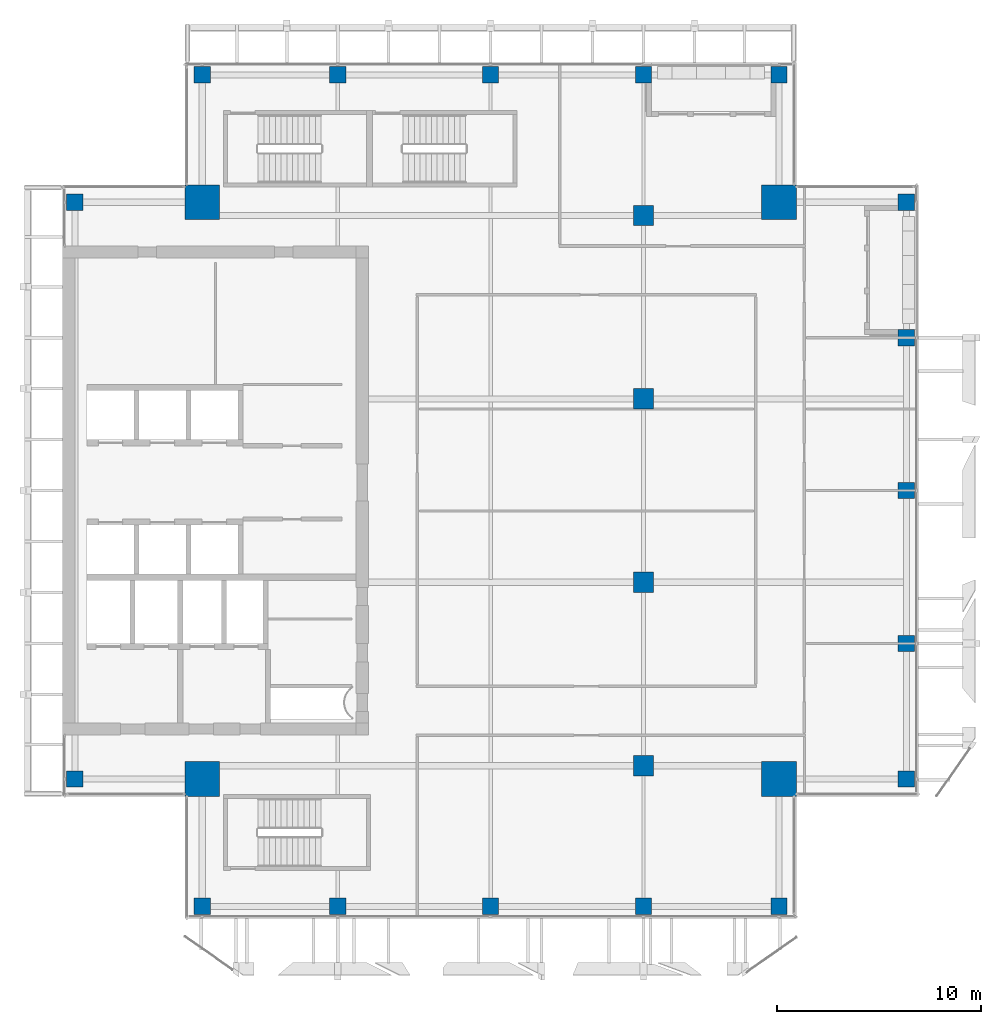
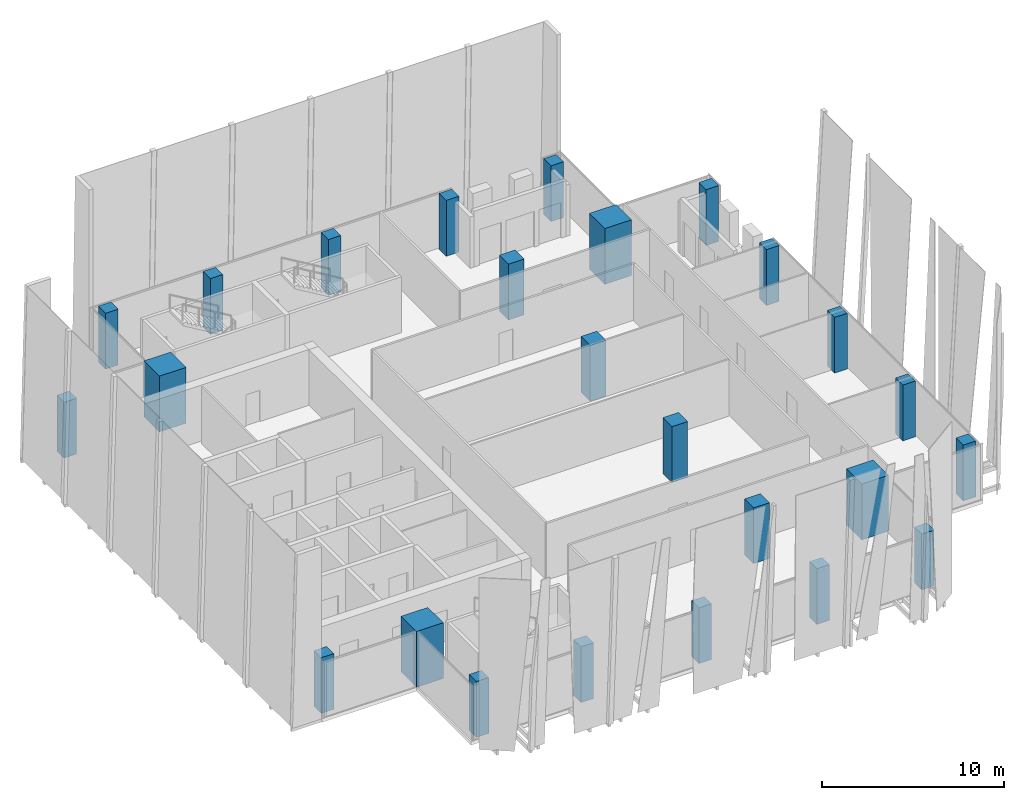
# One storey, part 1 of 32: 25 columns.
"""IFC4 building model written with IfcOpenShell, lengths in metres."""

from ifc_helpers import new_model, si_unit, direction, frame, origin, origin_2d, place, context, subcontext, project, spatial, rectangle, extrude, source, transform, mapped, material, material_profile, profile_set, type_object, element, save


model = new_model("IFC4")

# Units and contexts
model_context = context("Model", 3, precision=1e-05, world=origin(), true_north=direction((0.0, 1.0)))
body_context = subcontext(model_context, "Body", "Model", "MODEL_VIEW")
ifc_project = project(units=[si_unit("LENGTHUNIT", "METRE"), si_unit("AREAUNIT", "SQUARE_METRE"), si_unit("VOLUMEUNIT", "CUBIC_METRE"), si_unit("PLANEANGLEUNIT", "RADIAN"), si_unit("MASSUNIT", "GRAM", prefix="KILO")], contexts=[model_context])

# Site, building, storey
site_placement = place(None, origin())
site = spatial("IfcSite", under=ifc_project, at=site_placement, CompositionType="ELEMENT")
building_placement = place(site_placement, origin())
building = spatial("IfcBuilding", under=site, at=building_placement, Name="Khomas Fold Tower", CompositionType="ELEMENT")
storey_placement = place(building_placement, frame((0.0, 0.0, 306.199951171875)))
storey = spatial("IfcBuildingStorey", under=building, at=storey_placement, Name="L69", CompositionType="ELEMENT", Elevation=306.199951171875)

# Columns
ifc_material_1 = material(Name="Concrete C50/60", Category="concrete")
ifc_material_profile_1 = material_profile(ifc_material_1, rectangle(XDim=1.0, YDim=1.0, at=origin_2d()), Name="RC 1000x1000")
ifc_profile_set_1 = profile_set([ifc_material_profile_1], Name="Concrete C50/60")
column_type_1 = type_object("IfcColumnType", Name="RC 1000x1000 column", PredefinedType="COLUMN", material=ifc_profile_set_1)
shared_shape_1 = source(origin(), body_context, "Body", "SweptSolid", [
    extrude(rectangle(XDim=1.0, YDim=1.0, at=origin_2d()), origin(), (0.0, 0.0, 1.0), 3.75),
])
for number, where, z_axis, x_axis, name in (
    (1, (34.5, 13.5, 0.0), (0.0, 0.0, 1.0), (1.0, 0.0, 0.0), "C-10-H"),
    (2, (34.5, 22.5, 0.0), (0.0, 0.0, 1.0), (1.0, 0.0, 0.0), "C-10-K"),
    (3, (34.5, 31.5, 0.0), (0.0, 0.0, 1.0), (1.0, 0.0, 0.0), "C-10-M"),
    (4, (34.5, 40.5, 0.0), (0.0, 0.0, 1.0), (1.0, 0.0, 0.0), "C-10-P"),
):
    element("IfcColumn", number, at=place(storey_placement, frame(where, z_axis=z_axis, x_axis=x_axis)), inside=storey, type_object=column_type_1, Name=name, PredefinedType="COLUMN", context=body_context, shape_type="MappedRepresentation", body=[
        mapped(shared_shape_1, transform((0.0, 0.0, 0.0))),
    ])
ifc_material_2 = material(Name="Concrete C60/75", Category="concrete")
ifc_material_profile_2 = material_profile(ifc_material_2, rectangle(XDim=1.699951171875, YDim=1.699951171875, at=origin_2d()), Name="RC 1700x1700")
ifc_profile_set_2 = profile_set([ifc_material_profile_2], Name="Concrete C60/75")
column_type_2 = type_object("IfcColumnType", Name="RC 1700x1700 column", PredefinedType="COLUMN", material=ifc_profile_set_2)
shared_shape_2 = source(origin(), body_context, "Body", "SweptSolid", [
    extrude(rectangle(XDim=1.699951171875, YDim=1.699951171875, at=origin_2d()), origin(), (0.0, 0.0, 1.0), 3.75),
])
for number, where, z_axis, x_axis, name in (
    (5, (41.14990234375, 41.14990234375, 0.0), (0.0, 0.0, 1.0), (1.0, 0.0, 0.0), "CM-NE"),
    (6, (12.85009765625, 41.14990234375, 0.0), (0.0, 0.0, 1.0), (1.0, 0.0, 0.0), "CM-NW"),
    (7, (41.14990234375, 12.85009765625, 0.0), (0.0, 0.0, 1.0), (1.0, 0.0, 0.0), "CM-SE"),
    (8, (12.85009765625, 12.85009765625, 0.0), (0.0, 0.0, 1.0), (1.0, 0.0, 0.0), "CM-SW"),
):
    element("IfcColumn", number, at=place(storey_placement, frame(where, z_axis=z_axis, x_axis=x_axis)), inside=storey, type_object=column_type_2, Name=name, PredefinedType="COLUMN", context=body_context, shape_type="MappedRepresentation", body=[
        mapped(shared_shape_2, transform((0.0, 0.0, 0.0))),
    ])
ifc_material_3 = material(Name="Concrete C50/60", Category="concrete")
ifc_material_profile_3 = material_profile(ifc_material_3, rectangle(XDim=0.800048828125, YDim=0.800048828125, at=origin_2d()), Name="RC 800x800")
ifc_profile_set_3 = profile_set([ifc_material_profile_3], Name="Concrete C50/60")
column_type_3 = type_object("IfcColumnType", Name="RC 800x800 column", PredefinedType="COLUMN", material=ifc_profile_set_3)
shared_shape_3 = source(origin(), body_context, "Body", "SweptSolid", [
    extrude(rectangle(XDim=0.800048828125, YDim=0.800048828125, at=origin_2d()), origin(), (0.0, 0.0, 1.0), 3.75),
])
for number, where, z_axis, x_axis, name in (
    (9, (12.85009765625, 6.60009765625, 0.0), (0.0, 0.0, 1.0), (1.0, 0.0, 0.0), "C-7-SF5"),
    (10, (19.5, 6.60009765625, 0.0), (0.0, 0.0, 1.0), (1.0, 0.0, 0.0), "C-8-SF5"),
    (11, (27.0, 6.60009765625, 0.0), (0.0, 0.0, 1.0), (1.0, 0.0, 0.0), "C-9-SF5"),
    (12, (34.5, 6.60009765625, 0.0), (0.0, 0.0, 1.0), (1.0, 0.0, 0.0), "C-10-SF5"),
    (13, (41.14990234375, 6.60009765625, 0.0), (0.0, 0.0, 1.0), (1.0, 0.0, 0.0), "C-12-SF5"),
    (14, (47.39990234375, 12.85009765625, 0.0), (0.0, 0.0, 1.0), (1.0, 0.0, 0.0), "C-E5-G"),
    (15, (47.39990234375, 19.5, 0.0), (0.0, 0.0, 1.0), (1.0, 0.0, 0.0), "C-E5-J"),
    (16, (47.39990234375, 27.0, 0.0), (0.0, 0.0, 1.0), (1.0, 0.0, 0.0), "C-E5-L"),
    (17, (47.39990234375, 34.5, 0.0), (0.0, 0.0, 1.0), (1.0, 0.0, 0.0), "C-E5-N"),
    (18, (47.39990234375, 41.14990234375, 0.0), (0.0, 0.0, 1.0), (1.0, 0.0, 0.0), "C-E5-Q"),
    (19, (12.85009765625, 47.39990234375, 0.0), (0.0, 0.0, 1.0), (1.0, 0.0, 0.0), "C-7-NF5"),
    (20, (19.5, 47.39990234375, 0.0), (0.0, 0.0, 1.0), (1.0, 0.0, 0.0), "C-8-NF5"),
    (21, (27.0, 47.39990234375, 0.0), (0.0, 0.0, 1.0), (1.0, 0.0, 0.0), "C-9-NF5"),
    (22, (34.5, 47.39990234375, 0.0), (0.0, 0.0, 1.0), (1.0, 0.0, 0.0), "C-10-NF5"),
    (23, (41.14990234375, 47.39990234375, 0.0), (0.0, 0.0, 1.0), (1.0, 0.0, 0.0), "C-12-NF5"),
    (24, (6.60009765625, 12.85009765625, 0.0), (0.0, 0.0, 1.0), (1.0, 0.0, 0.0), "C-W5-G"),
    (25, (6.60009765625, 41.14990234375, 0.0), (0.0, 0.0, 1.0), (1.0, 0.0, 0.0), "C-W5-Q"),
):
    element("IfcColumn", number, at=place(storey_placement, frame(where, z_axis=z_axis, x_axis=x_axis)), inside=storey, type_object=column_type_3, Name=name, PredefinedType="COLUMN", context=body_context, shape_type="MappedRepresentation", body=[
        mapped(shared_shape_3, transform((0.0, 0.0, 0.0))),
    ])

save(model, "model.ifc")
